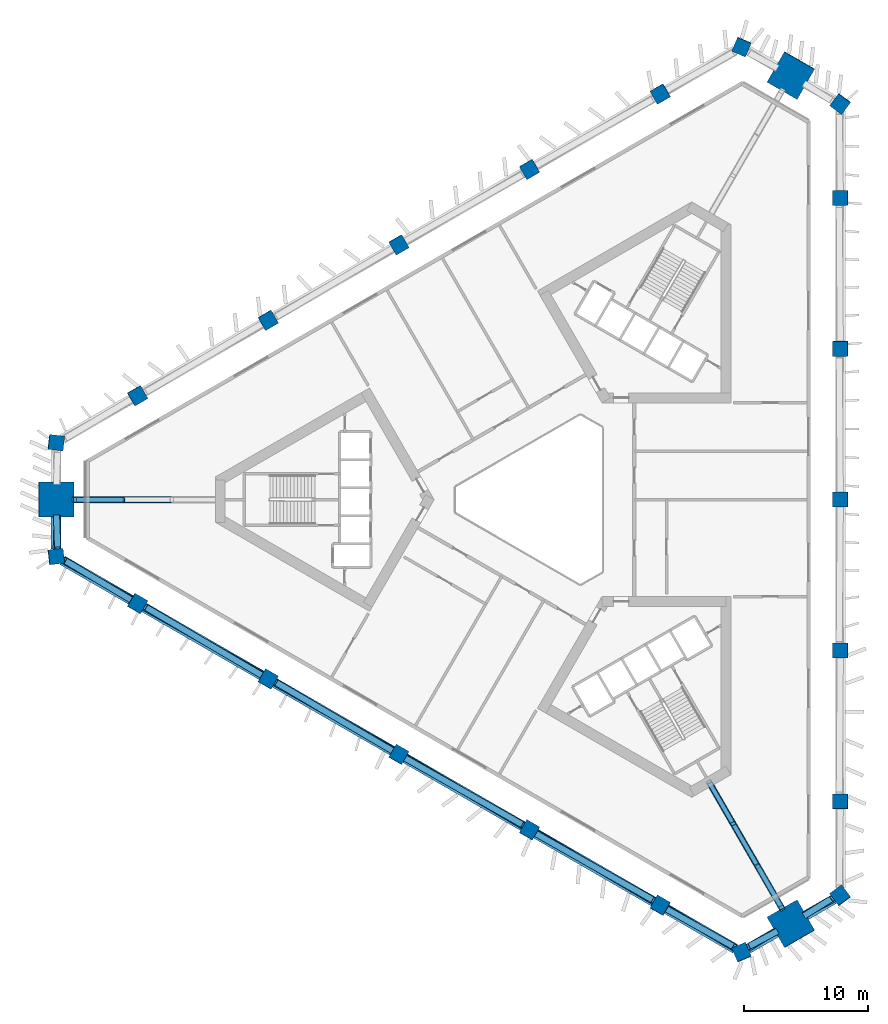
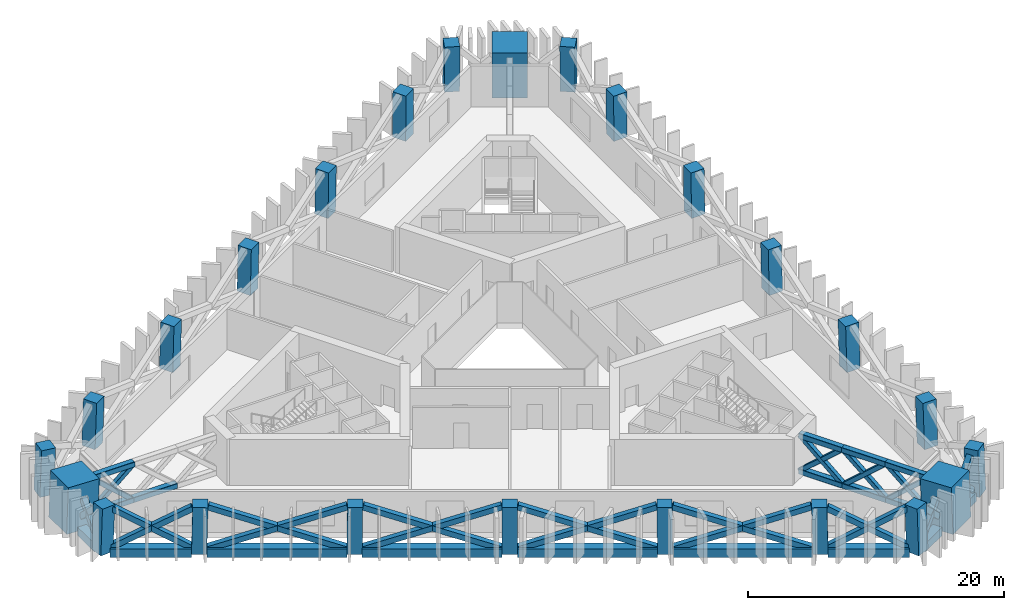
# One storey, part 1 of 9: 44 members, 24 columns.
"""IFC4 building model written with IfcOpenShell, lengths in metres."""

from ifc_helpers import new_model, si_unit, direction, frame, origin, origin_2d, place, context, subcontext, project, spatial, rectangle, hollow_rectangle, extrude, material, material_profile, profile_set, type_object, element, save


model = new_model("IFC4")

# Units and contexts
model_context = context("Model", 3, precision=1e-05, world=origin(), true_north=direction((0.0, 1.0)))
body_context = subcontext(model_context, "Body", "Model", "MODEL_VIEW")
ifc_project = project(units=[si_unit("LENGTHUNIT", "METRE"), si_unit("AREAUNIT", "SQUARE_METRE"), si_unit("VOLUMEUNIT", "CUBIC_METRE"), si_unit("PLANEANGLEUNIT", "RADIAN"), si_unit("MASSUNIT", "GRAM", prefix="KILO")], contexts=[model_context])

# Site, building, storey
site_placement = place(None, origin())
site = spatial("IfcSite", under=ifc_project, at=site_placement, CompositionType="ELEMENT")
building_placement = place(site_placement, origin())
building = spatial("IfcBuilding", under=site, at=building_placement, Name="Jabali Bay Hotel Tower and Convention Centre", CompositionType="ELEMENT")
storey_placement = place(building_placement, frame((0.0, 0.0, 48.5)))
storey = spatial("IfcBuildingStorey", under=building, at=storey_placement, Name="L10", CompositionType="ELEMENT", Elevation=48.5)

# Columns
ifc_material_1 = material(Name="Concrete C60", Category="concrete")
ifc_material_profile_1 = material_profile(ifc_material_1, rectangle(XDim=1.199951171875, YDim=1.199951171875, at=origin_2d()), Name="Frame column 1200")
ifc_profile_set_1 = profile_set([ifc_material_profile_1], Name="Concrete C60")
column_type_1 = type_object("IfcColumnType", Name="Frame column 1200", PredefinedType="COLUMN", material=ifc_profile_set_1)
column_1_placement = place(storey_placement, frame((84.193603515625, 112.647216796875, 0.0), z_axis=(-0.008375041015, -0.028120170824, 0.99956946466), x_axis=(0.866034345428, 0.499530213141, 0.021309122418)))
element("IfcColumn", 1, at=column_1_placement, inside=storey, type_object=column_type_1, Name="FC1 F1.1 L10", PredefinedType="COLUMN", context=body_context, shape_type="SweptSolid", body=[
    extrude(rectangle(XDim=1.199951171875, YDim=1.199951171875, at=origin_2d()), origin(), (0.0, 0.0, 1.0), 4.40185546875),
])
column_2_placement = place(storey_placement, frame((73.677734375, 106.575927734375, 0.0), z_axis=(0.000832098362, -0.022854968331, 0.999738444812), x_axis=(0.866640716744, 0.498818363668, 0.010682141554)))
element("IfcColumn", 2, at=column_2_placement, inside=storey, type_object=column_type_1, Name="FC1 F1.2 L10", PredefinedType="COLUMN", context=body_context, shape_type="SweptSolid", body=[
    extrude(rectangle(XDim=1.199951171875, YDim=1.199951171875, at=origin_2d()), origin(), (0.0, 0.0, 1.0), 4.401123046875),
])
column_3_placement = place(storey_placement, frame((63.161865234375, 100.50439453125, 0.0), z_axis=(0.010041240412, -0.017475086904, 0.999796876785), x_axis=(0.867052242695, 0.49821723017, 1.09398e-07)))
element("IfcColumn", 3, at=column_3_placement, inside=storey, type_object=column_type_1, Name="FC1 F1.3 L10", PredefinedType="COLUMN", context=body_context, shape_type="SweptSolid", body=[
    extrude(rectangle(XDim=1.199951171875, YDim=1.199951171875, at=origin_2d()), origin(), (0.0, 0.0, 1.0), 4.40087890625),
])
column_4_placement = place(storey_placement, frame((52.645751953125, 94.43310546875, 0.0), z_axis=(0.019360161379, -0.012148639948, 0.999738763227), x_axis=(-0.500505187473, 0.865497615784, 0.020209759643)))
element("IfcColumn", 4, at=column_4_placement, inside=storey, type_object=column_type_1, Name="FC1 F1.4 L10", PredefinedType="COLUMN", context=body_context, shape_type="SweptSolid", body=[
    extrude(rectangle(XDim=1.199951171875, YDim=1.199951171875, at=origin_2d()), origin(), (0.0, 0.0, 1.0), 4.401123046875),
])
for number, where, z_axis, x_axis, name in (
    (5, (42.1298828125, 88.361572265625, 0.0), (0.028563870227, -0.006766586733, 0.999569066459), (-0.501207103745, 0.865092049405, 0.020178830788), "FC1 F1.5 L10"),
    (6, (42.1298828125, 71.638427734375, 0.0), (0.028563870227, 0.006766586733, 0.999569066459), (-0.864855794033, 0.501567502297, 0.021318915695), "FC1 F2.1 L10"),
):
    element("IfcColumn", number, at=place(storey_placement, frame(where, z_axis=z_axis, x_axis=x_axis)), inside=storey, type_object=column_type_1, Name=name, PredefinedType="COLUMN", context=body_context, shape_type="SweptSolid", body=[
        extrude(rectangle(XDim=1.199951171875, YDim=1.199951171875, at=origin_2d()), origin(), (0.0, 0.0, 1.0), 4.40185546875),
    ])
column_5_placement = place(storey_placement, frame((52.645751953125, 65.56689453125, 0.0), z_axis=(0.019360161379, 0.012148639948, 0.999738763227), x_axis=(-0.865517037073, 0.500765701322, 0.0106757162)))
element("IfcColumn", 7, at=column_5_placement, inside=storey, type_object=column_type_1, Name="FC1 F2.2 L10", PredefinedType="COLUMN", context=body_context, shape_type="SweptSolid", body=[
    extrude(rectangle(XDim=1.199951171875, YDim=1.199951171875, at=origin_2d()), origin(), (0.0, 0.0, 1.0), 4.401123046875),
])
column_6_placement = place(storey_placement, frame((63.161865234375, 59.49560546875, 0.0), z_axis=(0.010041240412, 0.017475086904, 0.999796876785), x_axis=(-0.498116032596, -0.866876123157, 0.020154532277)))
element("IfcColumn", 8, at=column_6_placement, inside=storey, type_object=column_type_1, Name="FC1 F2.3 L10", PredefinedType="COLUMN", context=body_context, shape_type="SweptSolid", body=[
    extrude(rectangle(XDim=1.199951171875, YDim=1.199951171875, at=origin_2d()), origin(), (0.0, 0.0, 1.0), 4.40087890625),
])
column_7_placement = place(storey_placement, frame((73.677734375, 53.424072265625, 0.0), z_axis=(0.000832098362, 0.022854968331, 0.999738444812), x_axis=(-0.498932035144, -0.866405153776, 0.020222112079)))
element("IfcColumn", 9, at=column_7_placement, inside=storey, type_object=column_type_1, Name="FC1 F2.4 L10", PredefinedType="COLUMN", context=body_context, shape_type="SweptSolid", body=[
    extrude(rectangle(XDim=1.199951171875, YDim=1.199951171875, at=origin_2d()), origin(), (0.0, 0.0, 1.0), 4.401123046875),
])
for number, where, z_axis, x_axis, name in (
    (10, (84.193603515625, 47.352783203125, 0.0), (-0.008375041015, 0.028120170824, 0.99956946466), (-0.499914363893, -0.865839951811, 0.020169447709), "FC1 F2.5 L10"),
    (11, (98.676513671875, 55.71435546875, 0.0), (-0.020188813544, 0.021353552787, 0.999568125538), (-0.000783935616, -0.999771924675, 0.021342072935), "FC1 F0.1 L10"),
):
    element("IfcColumn", number, at=place(storey_placement, frame(where, z_axis=z_axis, x_axis=x_axis)), inside=storey, type_object=column_type_1, Name=name, PredefinedType="COLUMN", context=body_context, shape_type="SweptSolid", body=[
        extrude(rectangle(XDim=1.199951171875, YDim=1.199951171875, at=origin_2d()), origin(), (0.0, 0.0, 1.0), 4.40185546875),
    ])
column_8_placement = place(storey_placement, frame((98.676513671875, 67.857177734375, 0.0), z_axis=(-0.020192272495, 0.010650869008, 0.999739381599), x_axis=(0.000495944648, -0.999943025021, 0.010663055413)))
element("IfcColumn", 12, at=column_8_placement, inside=storey, type_object=column_type_1, Name="FC1 F0.2 L10", PredefinedType="COLUMN", context=body_context, shape_type="SweptSolid", body=[
    extrude(rectangle(XDim=1.199951171875, YDim=1.199951171875, at=origin_2d()), origin(), (0.0, 0.0, 1.0), 4.401123046875),
])
column_9_placement = place(storey_placement, frame((98.676513671875, 80.0, 0.0), z_axis=(-0.020193417908, 0.0, 0.999796092147), x_axis=(0.0, -1.0, 0.0)))
element("IfcColumn", 13, at=column_9_placement, inside=storey, type_object=column_type_1, Name="FC1 F0.3 L10", PredefinedType="COLUMN", context=body_context, shape_type="SweptSolid", body=[
    extrude(rectangle(XDim=1.199951171875, YDim=1.199951171875, at=origin_2d()), origin(), (0.0, 0.0, 1.0), 4.40087890625),
])
column_10_placement = place(storey_placement, frame((98.676513671875, 92.142822265625, 0.0), z_axis=(-0.020192272495, -0.010650869008, 0.999739381599), x_axis=(0.999795992276, -0.000711126716, 0.020185839799)))
element("IfcColumn", 14, at=column_10_placement, inside=storey, type_object=column_type_1, Name="FC1 F0.4 L10", PredefinedType="COLUMN", context=body_context, shape_type="SweptSolid", body=[
    extrude(rectangle(XDim=1.199951171875, YDim=1.199951171875, at=origin_2d()), origin(), (0.0, 0.0, 1.0), 4.401123046875),
])
column_11_placement = place(storey_placement, frame((98.676513671875, 104.28564453125, 0.0), z_axis=(-0.020188813544, -0.021353552787, 0.999568125538), x_axis=(0.999795877793, 0.000352725923, 0.020200948785)))
element("IfcColumn", 15, at=column_11_placement, inside=storey, type_object=column_type_1, Name="FC1 F0.5 L10", PredefinedType="COLUMN", context=body_context, shape_type="SweptSolid", body=[
    extrude(rectangle(XDim=1.199951171875, YDim=1.199951171875, at=origin_2d()), origin(), (0.0, 0.0, 1.0), 4.40185546875),
])
for number, where, z_axis, x_axis, name in (
    (16, (98.676513671875, 48.15234375, 0.0), (-0.020184923639, 0.029001964459, 0.999375532478), (-0.802416688202, -0.596763121814, 0.001111277228), "FC1 V0 L10"),
    (17, (98.676513671875, 111.84765625, 0.0), (-0.020184923639, -0.029001964459, 0.999375532478), (0.596422691849, 0.801893173995, 0.035317278317), "FC1 V1 L10"),
    (18, (90.74267578125, 116.42822265625, 0.0), (-0.015027805225, -0.031941017747, 0.999376774022), (0.917788841419, -0.397067261022, 0.00111031149), "FC1 V2 L10"),
    (19, (35.580810546875, 84.58056640625, 0.0), (0.035212709707, -0.002939013566, 0.999375518649), (-0.992803953666, 0.114424525003, 0.035317667873), "FC1 V3 L10"),
    (20, (35.580810546875, 75.41943359375, 0.0), (0.035212709707, 0.002939013566, 0.999375518649), (-0.114456868126, 0.993427596897, 0.001111333294), "FC1 V4 L10"),
    (21, (90.74267578125, 43.57177734375, 0.0), (-0.015027805225, 0.031941017747, 0.999376774022), (0.396784333911, -0.917233537116, 0.035282159132), "FC1 V5 L10"),
):
    element("IfcColumn", number, at=place(storey_placement, frame(where, z_axis=z_axis, x_axis=x_axis)), inside=storey, type_object=column_type_1, Name=name, PredefinedType="COLUMN", context=body_context, shape_type="SweptSolid", body=[
        extrude(rectangle(XDim=1.199951171875, YDim=1.199951171875, at=origin_2d()), origin(), (0.0, 0.0, 1.0), 4.402587890625),
    ])
ifc_material_2 = material(Name="Concrete C70", Category="concrete")
ifc_material_profile_2 = material_profile(ifc_material_2, rectangle(XDim=2.800048828125, YDim=2.800048828125, at=origin_2d()), Name="Mega column 2800")
ifc_profile_set_2 = profile_set([ifc_material_profile_2], Name="Concrete C70")
column_type_2 = type_object("IfcColumnType", Name="Mega column 2800", PredefinedType="COLUMN", material=ifc_profile_set_2)
for number, where, z_axis, x_axis, name in (
    (22, (94.70947265625, 114.137939453125, 0.0), (-0.01757871061, -0.030499340175, 0.999380197514), (0.866395642806, -0.499358178192, 2.3347e-08), "MC1 M1 L10"),
    (23, (35.580810546875, 80.0, 0.0), (0.035212861788, 0.0, 0.99937983488), (0.0, 1.0, 0.0), "MC1 M0 L10"),
    (24, (94.70947265625, 45.862060546875, 0.0), (-0.01757871061, 0.030499340175, 0.999380197514), (0.49904867404, -0.865858649042, 0.035202568341), "MC1 M2 L10"),
):
    element("IfcColumn", number, at=place(storey_placement, frame(where, z_axis=z_axis, x_axis=x_axis)), inside=storey, type_object=column_type_2, Name=name, PredefinedType="COLUMN", context=body_context, shape_type="SweptSolid", body=[
        extrude(rectangle(XDim=2.800048828125, YDim=2.800048828125, at=origin_2d()), origin(), (0.0, 0.0, 1.0), 4.402587890625),
    ])

# Members
ifc_material_3 = material(Name="Steel Q420GJC", Category="steel")
ifc_material_profile_3 = material_profile(ifc_material_3, hollow_rectangle(XDim=0.5, YDim=0.5, WallThickness=0.030029296875, at=origin_2d()), Name="Belt brace 500x500x30")
ifc_profile_set_3 = profile_set([ifc_material_profile_3], Name="Steel Q420GJC")
member_type_1 = type_object("IfcMemberType", Name="Belt brace 500x500x30", PredefinedType="BRACE", material=ifc_profile_set_3)
member_1_placement = place(storey_placement, frame((35.62841796875, 78.600830078125, 1.347900390625), z_axis=(0.024430453605, -0.719979838586, 0.693564838329), x_axis=(0.999424801743, 0.033912618023, 0.0)))
element("IfcMember", 25, at=member_1_placement, inside=storey, type_object=member_type_1, Name="Belt brace T1 M0-V4 x1", PredefinedType="BRACE", context=body_context, shape_type="SweptSolid", body=[
    extrude(hollow_rectangle(XDim=0.5, YDim=0.5, WallThickness=0.030029296875, at=origin_2d()), origin(), (0.0, 0.0, 1.0), 3.567626953125),
])
member_2_placement = place(storey_placement, frame((35.60107421875, 76.01904296875, 0.575927734375), z_axis=(0.024407239149, 0.720968027947, 0.692538366703), x_axis=(-0.99942746478, 0.033834045616, 0.0)))
element("IfcMember", 26, at=member_2_placement, inside=storey, type_object=member_type_1, Name="Belt brace T1 M0-V4 x2", PredefinedType="BRACE", context=body_context, shape_type="SweptSolid", body=[
    extrude(hollow_rectangle(XDim=0.5, YDim=0.5, WallThickness=0.030029296875, at=origin_2d()), origin(), (0.0, 0.0, 1.0), 3.5810546875),
])
member_3_placement = place(storey_placement, frame((36.10400390625, 75.12548828125, 0.3447265625), z_axis=(0.755828241138, -0.42479684742, 0.498268309569), x_axis=(0.489948826437, 0.871751195854, 0.0)))
element("IfcMember", 27, at=member_3_placement, inside=storey, type_object=member_type_1, Name="Belt brace T1 V4-F2.1 x1", PredefinedType="BRACE", context=body_context, shape_type="SweptSolid", body=[
    extrude(hollow_rectangle(XDim=0.5, YDim=0.5, WallThickness=0.030029296875, at=origin_2d()), origin(), (0.0, 0.0, 1.0), 7.44677734375),
])
member_4_placement = place(storey_placement, frame((41.61376953125, 71.944580078125, 0.35498046875), z_axis=(-0.740088515822, 0.439160073681, 0.509320545858), x_axis=(-0.510308932749, -0.859991158766, 0.0)))
element("IfcMember", 28, at=member_4_placement, inside=storey, type_object=member_type_1, Name="Belt brace T1 V4-F2.1 x2", PredefinedType="BRACE", context=body_context, shape_type="SweptSolid", body=[
    extrude(hollow_rectangle(XDim=0.5, YDim=0.5, WallThickness=0.030029296875, at=origin_2d()), origin(), (0.0, 0.0, 1.0), 7.244873046875),
])
member_5_placement = place(storey_placement, frame((42.651611328125, 71.342041015625, 0.216552734375), z_axis=(0.817989743402, -0.464357066126, 0.339507429709), x_axis=(0.493679992533, 0.869643642518, 0.0)))
element("IfcMember", 29, at=member_5_placement, inside=storey, type_object=member_type_1, Name="Belt brace T1 F2.1-F2.2 x1", PredefinedType="BRACE", context=body_context, shape_type="SweptSolid", body=[
    extrude(hollow_rectangle(XDim=0.5, YDim=0.5, WallThickness=0.030029296875, at=origin_2d()), origin(), (0.0, 0.0, 1.0), 11.68408203125),
])
member_6_placement = place(storey_placement, frame((52.12841796875, 65.870849609375, 0.218994140625), z_axis=(-0.809999496498, 0.475642188679, 0.343023795124), x_axis=(-0.506365018153, -0.862319238096, 0.0)))
element("IfcMember", 30, at=member_6_placement, inside=storey, type_object=member_type_1, Name="Belt brace T1 F2.1-F2.2 x2", PredefinedType="BRACE", context=body_context, shape_type="SweptSolid", body=[
    extrude(hollow_rectangle(XDim=0.5, YDim=0.5, WallThickness=0.030029296875, at=origin_2d()), origin(), (0.0, 0.0, 1.0), 11.550048828125),
])
member_7_placement = place(storey_placement, frame((53.16748046875, 65.270751953125, 0.217529296875), z_axis=(0.81764262067, -0.464122989856, 0.340661701914), x_axis=(0.493650212477, 0.86966054741, 0.0)))
element("IfcMember", 31, at=member_7_placement, inside=storey, type_object=member_type_1, Name="Belt brace T1 F2.2-F2.3 x1", PredefinedType="BRACE", context=body_context, shape_type="SweptSolid", body=[
    extrude(hollow_rectangle(XDim=0.5, YDim=0.5, WallThickness=0.030029296875, at=origin_2d()), origin(), (0.0, 0.0, 1.0), 11.639404296875),
])
for number, where, z_axis, x_axis, name in (
    (32, (62.644287109375, 59.79931640625, 0.21826171875), (-0.810378896683, 0.475854926107, 0.34183056199), (-0.506357064976, -0.862323908255, 0.0), "Belt brace T1 F2.2-F2.3 x2"),
    (33, (63.68359375, 59.199462890625, 0.21826171875), (0.817284589181, -0.463894388217, 0.341830216436), (0.493629794654, 0.869672136975, 0.0), "Belt brace T1 F2.3-F2.4 x1"),
):
    element("IfcMember", number, at=place(storey_placement, frame(where, z_axis=z_axis, x_axis=x_axis)), inside=storey, type_object=member_type_1, Name=name, PredefinedType="BRACE", context=body_context, shape_type="SweptSolid", body=[
        extrude(hollow_rectangle(XDim=0.5, YDim=0.5, WallThickness=0.030029296875, at=origin_2d()), origin(), (0.0, 0.0, 1.0), 11.594482421875),
    ])
member_8_placement = place(storey_placement, frame((73.160400390625, 53.72802734375, 0.217529296875), z_axis=(-0.810763586578, 0.476037554586, 0.340662080812), x_axis=(-0.506322848509, -0.86234399927, 0.0)))
element("IfcMember", 34, at=member_8_placement, inside=storey, type_object=member_type_1, Name="Belt brace T1 F2.3-F2.4 x2", PredefinedType="BRACE", context=body_context, shape_type="SweptSolid", body=[
    extrude(hollow_rectangle(XDim=0.5, YDim=0.5, WallThickness=0.030029296875, at=origin_2d()), origin(), (0.0, 0.0, 1.0), 11.639404296875),
])
member_9_placement = place(storey_placement, frame((74.199462890625, 53.1279296875, 0.218994140625), z_axis=(0.816923611433, -0.463651920326, 0.343019984639), x_axis=(0.493599539413, 0.869689309289, 0.0)))
element("IfcMember", 35, at=member_9_placement, inside=storey, type_object=member_type_1, Name="Belt brace T1 F2.4-F2.5 x1", PredefinedType="BRACE", context=body_context, shape_type="SweptSolid", body=[
    extrude(hollow_rectangle(XDim=0.5, YDim=0.5, WallThickness=0.030029296875, at=origin_2d()), origin(), (0.0, 0.0, 1.0), 11.550048828125),
])
member_10_placement = place(storey_placement, frame((83.67626953125, 47.656494140625, 0.216552734375), z_axis=(-0.811136939956, 0.476226126344, 0.339507792586), x_axis=(-0.506298623163, -0.862358222656, 0.0)))
element("IfcMember", 36, at=member_10_placement, inside=storey, type_object=member_type_1, Name="Belt brace T1 F2.4-F2.5 x2", PredefinedType="BRACE", context=body_context, shape_type="SweptSolid", body=[
    extrude(hollow_rectangle(XDim=0.5, YDim=0.5, WallThickness=0.030029296875, at=origin_2d()), origin(), (0.0, 0.0, 1.0), 11.68408203125),
])
member_11_placement = place(storey_placement, frame((84.716796875, 47.05908203125, 0.35498046875), z_axis=(0.750378398115, -0.421354925904, 0.509305690188), x_axis=(0.489614149202, 0.871939209407, 0.0)))
element("IfcMember", 37, at=member_11_placement, inside=storey, type_object=member_type_1, Name="Belt brace T1 F2.5-V5 x1", PredefinedType="BRACE", context=body_context, shape_type="SweptSolid", body=[
    extrude(hollow_rectangle(XDim=0.5, YDim=0.5, WallThickness=0.030029296875, at=origin_2d()), origin(), (0.0, 0.0, 1.0), 7.2451171875),
])
member_12_placement = place(storey_placement, frame((90.2265625, 43.877685546875, 0.3447265625), z_axis=(-0.745785218424, 0.442199359333, 0.49826111085), x_axis=(-0.510017964379, -0.860163749533, 0.0)))
element("IfcMember", 38, at=member_12_placement, inside=storey, type_object=member_type_1, Name="Belt brace T1 F2.5-V5 x2", PredefinedType="BRACE", context=body_context, shape_type="SweptSolid", body=[
    extrude(hollow_rectangle(XDim=0.5, YDim=0.5, WallThickness=0.030029296875, at=origin_2d()), origin(), (0.0, 0.0, 1.0), 7.44677734375),
])
member_13_placement = place(storey_placement, frame((91.251708984375, 43.88916015625, 0.575927734375), z_axis=(0.612214867322, 0.381577573764, 0.692525459049), x_axis=(-0.528945170644, 0.848656000069, 0.0)))
element("IfcMember", 39, at=member_13_placement, inside=storey, type_object=member_type_1, Name="Belt brace T1 V5-M2 x1", PredefinedType="BRACE", context=body_context, shape_type="SweptSolid", body=[
    extrude(hollow_rectangle(XDim=0.5, YDim=0.5, WallThickness=0.030029296875, at=origin_2d()), origin(), (0.0, 0.0, 1.0), 3.5810546875),
])
member_14_placement = place(storey_placement, frame((93.47412109375, 45.20361328125, 1.347900390625), z_axis=(-0.635728069883, -0.338872486766, 0.693552635981), x_axis=(0.470391012244, -0.882458098495, 0.0)))
element("IfcMember", 40, at=member_14_placement, inside=storey, type_object=member_type_1, Name="Belt brace T1 V5-M2 x2", PredefinedType="BRACE", context=body_context, shape_type="SweptSolid", body=[
    extrude(hollow_rectangle(XDim=0.5, YDim=0.5, WallThickness=0.030029296875, at=origin_2d()), origin(), (0.0, 0.0, 1.0), 3.567626953125),
])
member_15_placement = place(storey_placement, frame((95.8974609375, 46.602783203125, 1.347900390625), z_axis=(0.61134521842, 0.381149861943, 0.693528518993), x_axis=(-0.52905944986, 0.848584762127, 0.0)))
element("IfcMember", 41, at=member_15_placement, inside=storey, type_object=member_type_1, Name="Belt brace T1 M2-V0 x1", PredefinedType="BRACE", context=body_context, shape_type="SweptSolid", body=[
    extrude(hollow_rectangle(XDim=0.5, YDim=0.5, WallThickness=0.030029296875, at=origin_2d()), origin(), (0.0, 0.0, 1.0), 3.56787109375),
])
member_16_placement = place(storey_placement, frame((98.14697265625, 47.8701171875, 0.575927734375), z_axis=(-0.636563470661, -0.339382345181, 0.692536332331), x_axis=(0.470460693666, -0.882420951539, 0.0)))
element("IfcMember", 42, at=member_16_placement, inside=storey, type_object=member_type_1, Name="Belt brace T1 M2-V0 x2", PredefinedType="BRACE", context=body_context, shape_type="SweptSolid", body=[
    extrude(hollow_rectangle(XDim=0.5, YDim=0.5, WallThickness=0.030029296875, at=origin_2d()), origin(), (0.0, 0.0, 1.0), 3.5810546875),
])
ifc_material_profile_4 = material_profile(ifc_material_3, hollow_rectangle(XDim=0.800048828125, YDim=0.800048828125, WallThickness=0.0400390625, at=origin_2d()), Name="Belt chord 800x800x40")
ifc_profile_set_4 = profile_set([ifc_material_profile_4], Name="Steel Q420GJC")
member_type_2 = type_object("IfcMemberType", Name="Belt chord 800x800x40", PredefinedType="CHORD", material=ifc_profile_set_4)
member_17_placement = place(storey_placement, frame((35.580810546875, 78.60009765625, 0.0), z_axis=(0.0, -1.0, 0.0), x_axis=(1.0, 0.0, 0.0)))
element("IfcMember", 43, at=member_17_placement, inside=storey, type_object=member_type_2, Name="Belt chord T1 M0-V4", PredefinedType="CHORD", context=body_context, shape_type="SweptSolid", body=[
    extrude(hollow_rectangle(XDim=0.800048828125, YDim=0.800048828125, WallThickness=0.0400390625, at=origin_2d()), origin(), (0.0, 0.0, 1.0), 2.580810546875),
])
member_18_placement = place(storey_placement, frame((36.1005859375, 75.119384765625, 0.0), z_axis=(0.866019436383, -0.5000103357, 0.0), x_axis=(0.5000103357, 0.866019436383, 0.0)))
element("IfcMember", 44, at=member_18_placement, inside=storey, type_object=member_type_2, Name="Belt chord T1 V4-F2.1", PredefinedType="CHORD", context=body_context, shape_type="SweptSolid", body=[
    extrude(hollow_rectangle(XDim=0.800048828125, YDim=0.800048828125, WallThickness=0.0400390625, at=origin_2d()), origin(), (0.0, 0.0, 1.0), 6.362060546875),
])
member_19_placement = place(storey_placement, frame((42.6494140625, 71.33837890625, 0.0), z_axis=(0.866025455944, -0.499999909657, 0.0), x_axis=(0.499999909657, 0.866025455944, 0.0)))
element("IfcMember", 45, at=member_19_placement, inside=storey, type_object=member_type_2, Name="Belt chord T1 F2.1-F2.2", PredefinedType="CHORD", context=body_context, shape_type="SweptSolid", body=[
    extrude(hollow_rectangle(XDim=0.800048828125, YDim=0.800048828125, WallThickness=0.0400390625, at=origin_2d()), origin(), (0.0, 0.0, 1.0), 10.94287109375),
])
for number, where, z_axis, x_axis, name in (
    (46, (53.16552734375, 65.266845703125, 0.0), (0.866029539139, -0.499992837287, 0.0), (0.499992837287, 0.866029539139, 0.0), "Belt chord T1 F2.2-F2.3"),
    (47, (63.681396484375, 59.195556640625, 0.0), (0.866019878167, -0.500009570528, 0.0), (0.500009570528, 0.866019878167, 0.0), "Belt chord T1 F2.3-F2.4"),
):
    element("IfcMember", number, at=place(storey_placement, frame(where, z_axis=z_axis, x_axis=x_axis)), inside=storey, type_object=member_type_2, Name=name, PredefinedType="CHORD", context=body_context, shape_type="SweptSolid", body=[
        extrude(hollow_rectangle(XDim=0.800048828125, YDim=0.800048828125, WallThickness=0.0400390625, at=origin_2d()), origin(), (0.0, 0.0, 1.0), 10.942626953125),
    ])
member_20_placement = place(storey_placement, frame((74.197265625, 53.124267578125, 0.0), z_axis=(0.866025455944, -0.499999909657, 0.0), x_axis=(0.499999909657, 0.866025455944, 0.0)))
element("IfcMember", 48, at=member_20_placement, inside=storey, type_object=member_type_2, Name="Belt chord T1 F2.4-F2.5", PredefinedType="CHORD", context=body_context, shape_type="SweptSolid", body=[
    extrude(hollow_rectangle(XDim=0.800048828125, YDim=0.800048828125, WallThickness=0.0400390625, at=origin_2d()), origin(), (0.0, 0.0, 1.0), 10.94287109375),
])
member_21_placement = place(storey_placement, frame((84.713134765625, 47.052734375, 0.0), z_axis=(0.866045645229, -0.499964939151, 0.0), x_axis=(0.499964939151, 0.866045645229, 0.0)))
element("IfcMember", 49, at=member_21_placement, inside=storey, type_object=member_type_2, Name="Belt chord T1 F2.5-V5", PredefinedType="CHORD", context=body_context, shape_type="SweptSolid", body=[
    extrude(hollow_rectangle(XDim=0.800048828125, YDim=0.800048828125, WallThickness=0.0400390625, at=origin_2d()), origin(), (0.0, 0.0, 1.0), 6.3623046875),
])
for number, where, z_axis, x_axis, name in (
    (50, (91.26220703125, 43.871826171875, 0.0), (0.866028040503, 0.499995433041, 0.0), (-0.499995433041, 0.866028040503, 0.0), "Belt chord T1 V5-M2"),
    (51, (95.922119140625, 46.56201171875, 0.0), (0.866028040503, 0.499995433041, 0.0), (-0.499995433041, 0.866028040503, 0.0), "Belt chord T1 M2-V0"),
):
    element("IfcMember", number, at=place(storey_placement, frame(where, z_axis=z_axis, x_axis=x_axis)), inside=storey, type_object=member_type_2, Name=name, PredefinedType="CHORD", context=body_context, shape_type="SweptSolid", body=[
        extrude(hollow_rectangle(XDim=0.800048828125, YDim=0.800048828125, WallThickness=0.0400390625, at=origin_2d()), origin(), (0.0, 0.0, 1.0), 2.58056640625),
    ])
ifc_material_profile_5 = material_profile(ifc_material_3, hollow_rectangle(XDim=0.39990234375, YDim=0.39990234375, WallThickness=0.011962890625, InnerFilletRadius=0.01806640625, OuterFilletRadius=0.030029296875, at=origin_2d()), Name="Outrigger brace 400x400x12")
ifc_profile_set_5 = profile_set([ifc_material_profile_5], Name="Steel Q420GJC")
member_type_3 = type_object("IfcMemberType", Name="Outrigger brace 400x400x12", PredefinedType="BRACE", material=ifc_profile_set_5)
member_22_placement = place(storey_placement, frame((40.925537109375, 80.0, 0.25), z_axis=(-0.746655098143, 0.0, 0.665211368226), x_axis=(0.0, -1.0, 0.0)))
element("IfcMember", 52, at=member_22_placement, inside=storey, type_object=member_type_3, Name="Outrigger brace T1 1.3x1", PredefinedType="BRACE", context=body_context, shape_type="SweptSolid", body=[
    extrude(hollow_rectangle(XDim=0.39990234375, YDim=0.39990234375, WallThickness=0.011962890625, InnerFilletRadius=0.01806640625, OuterFilletRadius=0.030029296875, at=origin_2d()), origin(), (0.0, 0.0, 1.0), 5.111083984375),
])
member_23_placement = place(storey_placement, frame((36.98974609375, 80.0, 0.25), z_axis=(0.763192649699, 0.0, 0.646171014087), x_axis=(0.0, 1.0, 0.0)))
element("IfcMember", 53, at=member_23_placement, inside=storey, type_object=member_type_3, Name="Outrigger brace T1 1.3x2", PredefinedType="BRACE", context=body_context, shape_type="SweptSolid", body=[
    extrude(hollow_rectangle(XDim=0.39990234375, YDim=0.39990234375, WallThickness=0.011962890625, InnerFilletRadius=0.01806640625, OuterFilletRadius=0.030029296875, at=origin_2d()), origin(), (0.0, 0.0, 1.0), 5.26171875),
])
member_24_placement = place(storey_placement, frame((88.1015625, 57.307373046875, 0.25), z_axis=(0.376735804627, -0.652476762018, 0.657528865175), x_axis=(0.866009213151, 0.500028041952, 0.0)))
element("IfcMember", 54, at=member_24_placement, inside=storey, type_object=member_type_3, Name="Outrigger brace T1 3.1x1", PredefinedType="BRACE", context=body_context, shape_type="SweptSolid", body=[
    extrude(hollow_rectangle(XDim=0.39990234375, YDim=0.39990234375, WallThickness=0.011962890625, InnerFilletRadius=0.01806640625, OuterFilletRadius=0.030029296875, at=origin_2d()), origin(), (0.0, 0.0, 1.0), 5.170654296875),
])
member_25_placement = place(storey_placement, frame((90.0693359375, 53.89892578125, 0.25), z_axis=(-0.378355140911, 0.655361801769, 0.653718820388), x_axis=(-0.866035801656, -0.499981989925, 0.0)))
element("IfcMember", 55, at=member_25_placement, inside=storey, type_object=member_type_3, Name="Outrigger brace T1 3.1x2", PredefinedType="BRACE", context=body_context, shape_type="SweptSolid", body=[
    extrude(hollow_rectangle(XDim=0.39990234375, YDim=0.39990234375, WallThickness=0.011962890625, InnerFilletRadius=0.01806640625, OuterFilletRadius=0.030029296875, at=origin_2d()), origin(), (0.0, 0.0, 1.0), 5.200927734375),
])
member_26_placement = place(storey_placement, frame((90.0693359375, 53.89892578125, 0.25), z_axis=(0.375046951853, -0.64955263524, 0.661378226099), x_axis=(0.86600949093, 0.500027560859, 0.0)))
element("IfcMember", 56, at=member_26_placement, inside=storey, type_object=member_type_3, Name="Outrigger brace T1 3.2x1", PredefinedType="BRACE", context=body_context, shape_type="SweptSolid", body=[
    extrude(hollow_rectangle(XDim=0.39990234375, YDim=0.39990234375, WallThickness=0.011962890625, InnerFilletRadius=0.01806640625, OuterFilletRadius=0.030029296875, at=origin_2d()), origin(), (0.0, 0.0, 1.0), 5.140625),
])
member_27_placement = place(storey_placement, frame((92.037353515625, 50.490478515625, 0.25), z_axis=(-0.379986243592, 0.658185457305, 0.649924886793), x_axis=(-0.866035264566, -0.499982920237, 0.0)))
element("IfcMember", 57, at=member_27_placement, inside=storey, type_object=member_type_3, Name="Outrigger brace T1 3.2x2", PredefinedType="BRACE", context=body_context, shape_type="SweptSolid", body=[
    extrude(hollow_rectangle(XDim=0.39990234375, YDim=0.39990234375, WallThickness=0.011962890625, InnerFilletRadius=0.01806640625, OuterFilletRadius=0.030029296875, at=origin_2d()), origin(), (0.0, 0.0, 1.0), 5.231201171875),
])
member_28_placement = place(storey_placement, frame((92.037353515625, 50.490478515625, 0.25), z_axis=(0.373316715274, -0.646604613942, 0.665234622765), x_axis=(0.866025770688, 0.499999364504, 0.0)))
element("IfcMember", 58, at=member_28_placement, inside=storey, type_object=member_type_3, Name="Outrigger brace T1 3.3x1", PredefinedType="BRACE", context=body_context, shape_type="SweptSolid", body=[
    extrude(hollow_rectangle(XDim=0.39990234375, YDim=0.39990234375, WallThickness=0.011962890625, InnerFilletRadius=0.01806640625, OuterFilletRadius=0.030029296875, at=origin_2d()), origin(), (0.0, 0.0, 1.0), 5.11083984375),
])
member_29_placement = place(storey_placement, frame((94.005126953125, 47.08203125, 0.25), z_axis=(-0.381589137518, 0.660960270421, 0.646158843516), x_axis=(-0.866034738183, -0.499983831999, 0.0)))
element("IfcMember", 59, at=member_29_placement, inside=storey, type_object=member_type_3, Name="Outrigger brace T1 3.3x2", PredefinedType="BRACE", context=body_context, shape_type="SweptSolid", body=[
    extrude(hollow_rectangle(XDim=0.39990234375, YDim=0.39990234375, WallThickness=0.011962890625, InnerFilletRadius=0.01806640625, OuterFilletRadius=0.030029296875, at=origin_2d()), origin(), (0.0, 0.0, 1.0), 5.26171875),
])
ifc_material_profile_6 = material_profile(ifc_material_3, hollow_rectangle(XDim=0.5, YDim=0.5, WallThickness=0.01611328125, InnerFilletRadius=0.02392578125, OuterFilletRadius=0.0400390625, at=origin_2d()), Name="Outrigger chord 500x500x16")
ifc_profile_set_6 = profile_set([ifc_material_profile_6], Name="Steel Q420GJC")
member_type_4 = type_object("IfcMemberType", Name="Outrigger chord 500x500x16", PredefinedType="CHORD", material=ifc_profile_set_6)
member_30_placement = place(storey_placement, frame((44.861083984375, 80.0, 0.25), z_axis=(-1.0, 0.0, 0.0), x_axis=(0.0, -1.0, 0.0)))
element("IfcMember", 60, at=member_30_placement, inside=storey, type_object=member_type_4, Name="Outrigger chord T1 1.lo2", PredefinedType="CHORD", context=body_context, shape_type="SweptSolid", body=[
    extrude(hollow_rectangle(XDim=0.5, YDim=0.5, WallThickness=0.01611328125, InnerFilletRadius=0.02392578125, OuterFilletRadius=0.0400390625, at=origin_2d()), origin(), (0.0, 0.0, 1.0), 3.935546875),
])
member_31_placement = place(storey_placement, frame((40.925537109375, 80.0, 0.25), z_axis=(-1.0, 0.0, 0.0), x_axis=(0.0, -1.0, 0.0)))
element("IfcMember", 61, at=member_31_placement, inside=storey, type_object=member_type_4, Name="Outrigger chord T1 1.lo3", PredefinedType="CHORD", context=body_context, shape_type="SweptSolid", body=[
    extrude(hollow_rectangle(XDim=0.5, YDim=0.5, WallThickness=0.01611328125, InnerFilletRadius=0.02392578125, OuterFilletRadius=0.0400390625, at=origin_2d()), origin(), (0.0, 0.0, 1.0), 3.935791015625),
])
member_32_placement = place(storey_placement, frame((41.00537109375, 80.0, 3.64990234375), z_axis=(-1.0, 0.0, 0.0), x_axis=(0.0, -1.0, 0.0)))
element("IfcMember", 62, at=member_32_placement, inside=storey, type_object=member_type_4, Name="Outrigger chord T1 1.hi3", PredefinedType="CHORD", context=body_context, shape_type="SweptSolid", body=[
    extrude(hollow_rectangle(XDim=0.5, YDim=0.5, WallThickness=0.01611328125, InnerFilletRadius=0.02392578125, OuterFilletRadius=0.0400390625, at=origin_2d()), origin(), (0.0, 0.0, 1.0), 3.89599609375),
])
for number, where, z_axis, x_axis, name in (
    (63, (88.1015625, 57.307373046875, 0.25), (0.499981989925, -0.866035801656, 0.0), (0.866035801656, 0.499981989925, 0.0), "Outrigger chord T1 3.lo1"),
    (64, (90.0693359375, 53.89892578125, 0.25), (0.500028513257, -0.866008941022, 0.0), (0.866008941022, 0.500028513257, 0.0), "Outrigger chord T1 3.lo2"),
    (65, (92.037353515625, 50.490478515625, 0.25), (0.499981989925, -0.866035801656, 0.0), (0.866035801656, 0.499981989925, 0.0), "Outrigger chord T1 3.lo3"),
):
    element("IfcMember", number, at=place(storey_placement, frame(where, z_axis=z_axis, x_axis=x_axis)), inside=storey, type_object=member_type_4, Name=name, PredefinedType="CHORD", context=body_context, shape_type="SweptSolid", body=[
        extrude(hollow_rectangle(XDim=0.5, YDim=0.5, WallThickness=0.01611328125, InnerFilletRadius=0.02392578125, OuterFilletRadius=0.0400390625, at=origin_2d()), origin(), (0.0, 0.0, 1.0), 3.935791015625),
    ])
for number, where, z_axis, x_axis, name in (
    (66, (88.1015625, 57.307373046875, 3.64990234375), (0.500028041952, -0.866009213151, 0.0), (0.866009213151, 0.500028041952, 0.0), "Outrigger chord T1 3.hi1"),
    (67, (90.049560546875, 53.93359375, 3.64990234375), (0.499981040493, -0.866036349784, 0.0), (0.866036349784, 0.499981040493, 0.0), "Outrigger chord T1 3.hi2"),
):
    element("IfcMember", number, at=place(storey_placement, frame(where, z_axis=z_axis, x_axis=x_axis)), inside=storey, type_object=member_type_4, Name=name, PredefinedType="CHORD", context=body_context, shape_type="SweptSolid", body=[
        extrude(hollow_rectangle(XDim=0.5, YDim=0.5, WallThickness=0.01611328125, InnerFilletRadius=0.02392578125, OuterFilletRadius=0.0400390625, at=origin_2d()), origin(), (0.0, 0.0, 1.0), 3.895751953125),
    ])
member_33_placement = place(storey_placement, frame((91.997314453125, 50.559814453125, 3.64990234375), z_axis=(0.500000906121, -0.866024880635, 0.0), x_axis=(0.866024880635, 0.500000906121, 0.0)))
element("IfcMember", 68, at=member_33_placement, inside=storey, type_object=member_type_4, Name="Outrigger chord T1 3.hi3", PredefinedType="CHORD", context=body_context, shape_type="SweptSolid", body=[
    extrude(hollow_rectangle(XDim=0.5, YDim=0.5, WallThickness=0.01611328125, InnerFilletRadius=0.02392578125, OuterFilletRadius=0.0400390625, at=origin_2d()), origin(), (0.0, 0.0, 1.0), 3.89599609375),
])

save(model, "model.ifc")
